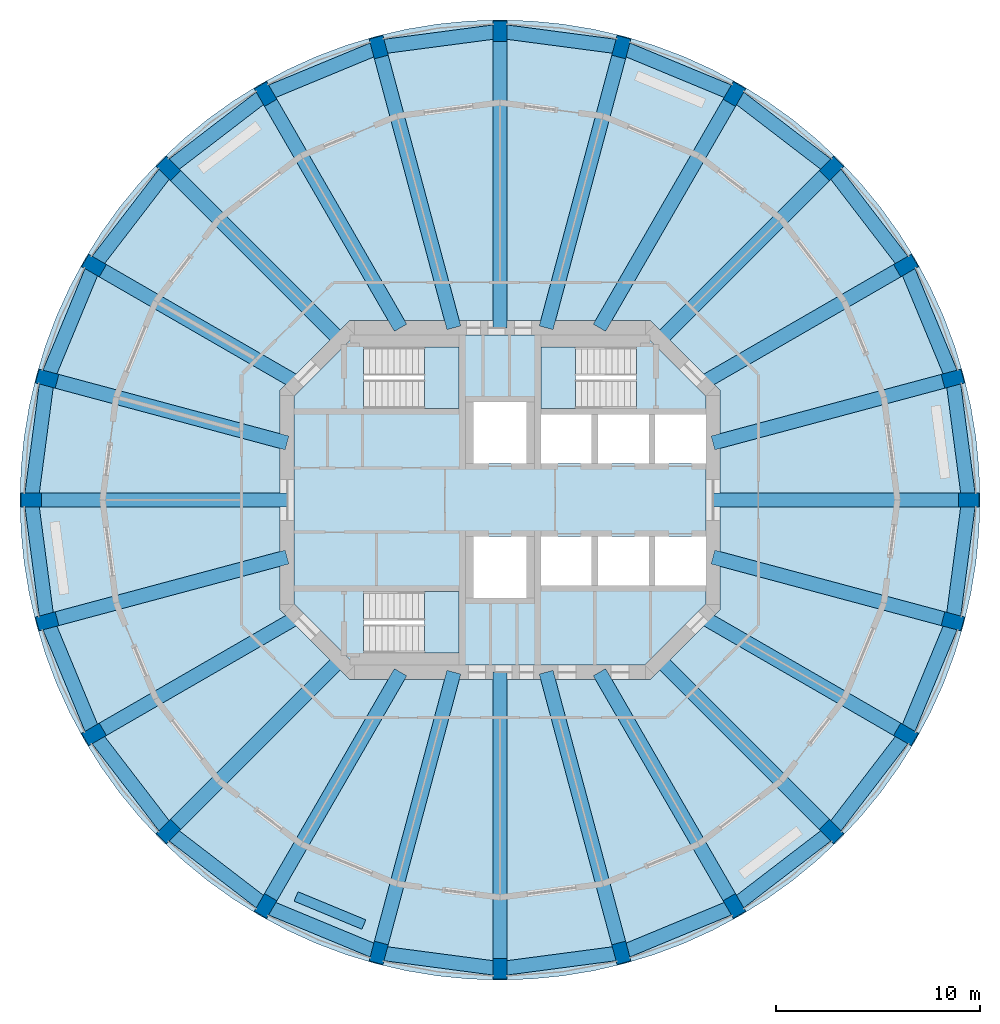
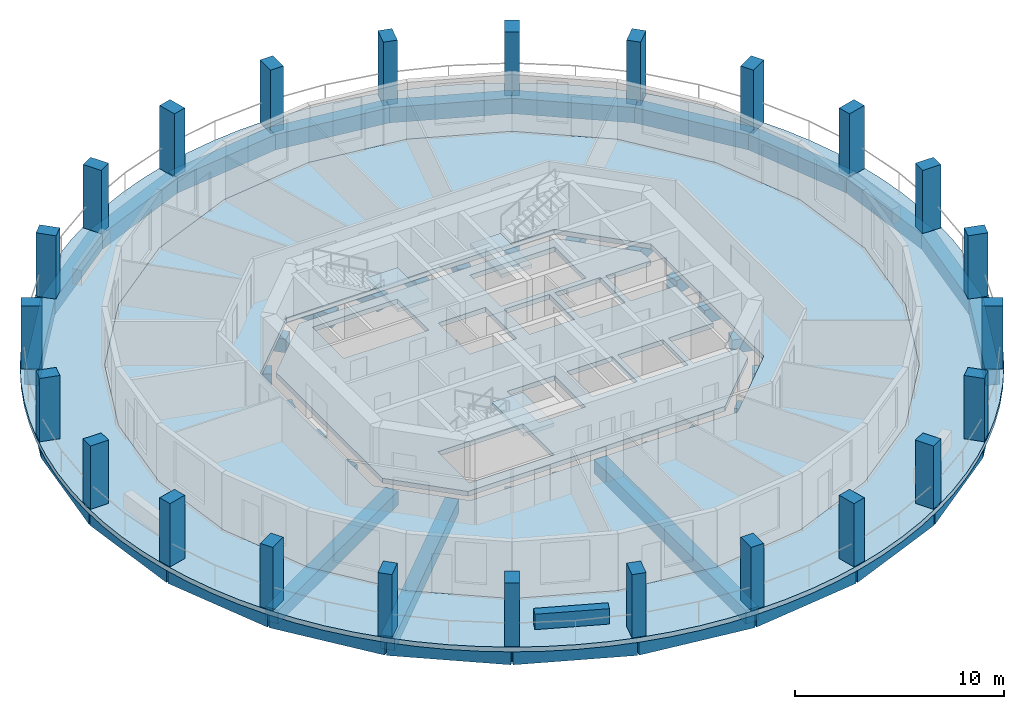
# One storey, part 1 of 8: 48 beams, 24 columns, 6 slabs, 1 wall, 3 elements without a shape of their own.
"""IFC4 building model written with IfcOpenShell, lengths in metres."""

import ifcopenshell
import ifcopenshell.guid

model = None  # the IFC model being written
_history = None  # IfcOwnerHistory: only IFC2X3 demands one
_inside = {}  # id of a spatial element -> (the spatial element, [elements in it])
_under = {}  # id of a project, library or spatial element -> (it, [spatial elements below it])
_declared = {}  # id of a project -> (the project, [libraries it declares])
_typed = {}  # id of a type object -> (the type object, [elements of that type])
_made_of = {}  # id of a material, layer set ... -> (it, [elements and type objects made of it])


def new_model(schema):
    """Start an empty IFC model of exactly this schema.

    Asked for "IFC4X3", IfcOpenShell would pick the latest addendum, in which some entities
    have other attributes; the version numbers below select the first issue.
    IFC2X3 requires an IfcOwnerHistory on every rooted entity: one is made here for all.
    """
    global model, _history
    if schema == "IFC4X3":
        model = ifcopenshell.file(schema_version=(4, 3, 0, 0))
    else:
        model = ifcopenshell.file(schema=schema)
    _inside.clear()
    _under.clear()
    _declared.clear()
    _typed.clear()
    _made_of.clear()
    _history = None
    if model.schema == "IFC2X3":
        org = make("IfcOrganization", Name="unknown")
        user = make(
            "IfcPersonAndOrganization",
            ThePerson=make("IfcPerson", FamilyName="unknown"),
            TheOrganization=org,
        )
        app = make(
            "IfcApplication",
            ApplicationDeveloper=org,
            Version="unknown",
            ApplicationFullName="unknown",
            ApplicationIdentifier="unknown",
        )
        _history = make(
            "IfcOwnerHistory",
            OwningUser=user,
            OwningApplication=app,
            ChangeAction="ADDED",
            CreationDate=0,
        )
    return model


def make(cls, **values):
    """One entity of the class cls with the attributes given. An attribute that is None is left unset."""
    return model.create_entity(
        cls, **{name: value for name, value in values.items() if value is not None}
    )


def rooted(cls, **values):
    """An entity with a GlobalId (a new one), such as an element, a storey or a relation."""
    return make(cls, GlobalId=ifcopenshell.guid.new(), OwnerHistory=_history, **values)


def si_unit(unit_type, name, prefix=None):
    """IfcSIUnit, for example si_unit("LENGTHUNIT", "METRE", prefix="MILLI")."""
    return make("IfcSIUnit", UnitType=unit_type, Prefix=prefix, Name=name)


def assignment(units):
    """IfcUnitAssignment: the units of a project."""
    return None if units is None else make("IfcUnitAssignment", Units=units)


def point(xyz):
    """IfcCartesianPoint."""
    return None if xyz is None else make("IfcCartesianPoint", Coordinates=xyz)


def direction(xyz):
    """IfcDirection."""
    return None if xyz is None else make("IfcDirection", DirectionRatios=xyz)


def frame(location, z_axis=None, x_axis=None):
    """IfcAxis2Placement3D, a coordinate frame: its origin and axes. An axis left out is left unset."""
    return make(
        "IfcAxis2Placement3D",
        Location=point(location),
        Axis=direction(z_axis),
        RefDirection=direction(x_axis),
    )


def frame_2d(location, x_axis=None):
    """IfcAxis2Placement2D, a coordinate frame in the plane: its origin and x axis."""
    return make(
        "IfcAxis2Placement2D", Location=point(location), RefDirection=direction(x_axis)
    )


def origin():
    """The frame at (0, 0, 0) with its axes left unset."""
    return frame((0.0, 0.0, 0.0))


def origin_2d():
    """The frame at (0, 0) in the plane with its x axis left unset."""
    return frame_2d((0.0, 0.0))


def place(relative_to, where):
    """IfcLocalPlacement: puts the frame where relative to a parent placement (None: the world)."""
    return make(
        "IfcLocalPlacement", PlacementRelTo=relative_to, RelativePlacement=where
    )


def context(
    kind, dimensions, precision=None, world=None, true_north=None, identifier=None
):
    """IfcGeometricRepresentationContext, for example the 3D "Model" context."""
    return make(
        "IfcGeometricRepresentationContext",
        ContextIdentifier=identifier,
        ContextType=kind,
        CoordinateSpaceDimension=dimensions,
        Precision=precision,
        WorldCoordinateSystem=world,
        TrueNorth=true_north,
    )


def subcontext(parent, identifier, kind, view, scale=None):
    """IfcGeometricRepresentationSubContext, for example "Body" below "Model"."""
    return make(
        "IfcGeometricRepresentationSubContext",
        ContextIdentifier=identifier,
        ContextType=kind,
        ParentContext=parent,
        TargetScale=scale,
        TargetView=view,
    )


def project(units=None, contexts=None):
    """IfcProject with its units and contexts."""
    return rooted(
        "IfcProject",
        Name="project",
        RepresentationContexts=contexts,
        UnitsInContext=assignment(units),
    )


def spatial(cls, under=None, at=None, **own):
    """A site, building, storey or space (cls), placed at a placement, below another one or the project."""
    s = rooted(cls, ObjectPlacement=at, **own)
    if under is not None:
        _under.setdefault(under.id(), (under, []))[1].append(s)
    return s


def polyline(points):
    """IfcPolyline through the points."""
    return make("IfcPolyline", Points=[point(p) for p in points])


def profile(cls, at=None, kind="AREA", **sizes):
    """A parametric profile (cls). Its sizes go by their IFC names, for example OverallWidth=200.0."""
    return make(cls, ProfileType=kind, Position=at, **sizes)


def rectangle(**sizes):
    """IfcRectangleProfileDef."""
    return profile("IfcRectangleProfileDef", **sizes)


def outline(outer, holes=None, kind="AREA"):
    """IfcArbitraryClosedProfileDef: a profile drawn as a closed curve; with holes, ...WithVoids."""
    if holes is None:
        return make("IfcArbitraryClosedProfileDef", ProfileType=kind, OuterCurve=outer)
    return make(
        "IfcArbitraryProfileDefWithVoids",
        ProfileType=kind,
        OuterCurve=outer,
        InnerCurves=holes,
    )


def extrude(swept, where, along, depth):
    """IfcExtrudedAreaSolid: the profile swept, set in the frame where, extruded along a direction by depth."""
    return make(
        "IfcExtrudedAreaSolid",
        SweptArea=swept,
        Position=where,
        ExtrudedDirection=direction(along),
        Depth=depth,
    )


def shape(context_of_items, identifier, shape_type, items):
    """IfcShapeRepresentation: the items that make up one representation, for example the "Body"."""
    return make(
        "IfcShapeRepresentation",
        ContextOfItems=context_of_items,
        RepresentationIdentifier=identifier,
        RepresentationType=shape_type,
        Items=items,
    )


def material(Name=None, Category=None):
    """IfcMaterial."""
    return make("IfcMaterial", Name=Name, Category=Category)


def layer(
    of_material, thickness, ventilated=None, Name=None, Category=None, Priority=None
):
    """IfcMaterialLayer: one layer of a wall or slab, of a material (None: an air gap)."""
    return make(
        "IfcMaterialLayer",
        Material=of_material,
        LayerThickness=thickness,
        IsVentilated=ventilated,
        Name=Name,
        Category=Category,
        Priority=Priority,
    )


def layer_set(layers, Name=None):
    """IfcMaterialLayerSet."""
    return make("IfcMaterialLayerSet", MaterialLayers=layers, LayerSetName=Name)


def material_profile(
    of_material, cross_section, Name=None, Category=None, Priority=None
):
    """IfcMaterialProfile: a cross section and its material."""
    return make(
        "IfcMaterialProfile",
        Name=Name,
        Material=of_material,
        Profile=cross_section,
        Priority=Priority,
        Category=Category,
    )


def profile_set(profiles, Name=None, composite=None):
    """IfcMaterialProfileSet."""
    return make(
        "IfcMaterialProfileSet",
        Name=Name,
        MaterialProfiles=profiles,
        CompositeProfile=composite,
    )


def made_of(thing, what):
    """Note that an element or type object is made of a material, layer set ...; save() writes the relation."""
    if what is not None:
        _made_of.setdefault(what.id(), (what, []))[1].append(thing)
    return thing


def type_object(cls, material=None, **own):
    """A type object (cls), such as IfcWallType, which elements share."""
    return made_of(rooted(cls, **own), material)


def element(
    cls,
    number,
    at=None,
    inside=None,
    cuts=None,
    type_object=None,
    material=None,
    context=None,
    identifier="Body",
    shape_type=None,
    held_by="IfcProductDefinitionShape",
    body=None,
    shapes=None,
    **own,
):
    """One element of the class cls, such as IfcWall. Its Tag is "e" and its number.

    at: its placement. inside: the storey or other place that contains it. cuts: it is an
    opening in that element (IfcRelVoidsElement). A single representation is given by context,
    identifier, shape_type and body (its items); several are given by shapes. held_by: the class
    of the entity that holds the representations. save() writes the other relations.
    """
    e = rooted(cls, Tag="e%d" % number, ObjectPlacement=at, **own)
    if body is not None:
        shapes = [shape(context, identifier, shape_type, body)]
    if shapes is not None:
        e.Representation = make(held_by, Representations=shapes)
    if inside is not None:
        _inside.setdefault(inside.id(), (inside, []))[1].append(e)
    if cuts is not None:
        rooted(
            "IfcRelVoidsElement", RelatingBuildingElement=cuts, RelatedOpeningElement=e
        )
    if type_object is not None:
        _typed.setdefault(type_object.id(), (type_object, []))[1].append(e)
    return made_of(e, material)


def aggregate(whole, parts):
    """IfcRelAggregates: a whole, such as a stair, and the parts it consists of."""
    return rooted("IfcRelAggregates", RelatingObject=whole, RelatedObjects=parts)


def save(model, path):
    """Write the relations noted so far, then the file.

    IfcRelAggregates (storeys below a building ...), IfcRelContainedInSpatialStructure (elements
    in a storey), IfcRelDefinesByType, IfcRelAssociatesMaterial and IfcRelDeclares: one each for
    every whole, place, type object, material and project.
    """
    for whole, parts in _under.values():
        aggregate(whole, parts)
    for where, things in _inside.values():
        rooted(
            "IfcRelContainedInSpatialStructure",
            RelatedElements=things,
            RelatingStructure=where,
        )
    for kind, things in _typed.values():
        rooted("IfcRelDefinesByType", RelatedObjects=things, RelatingType=kind)
    for what, things in _made_of.values():
        rooted("IfcRelAssociatesMaterial", RelatedObjects=things, RelatingMaterial=what)
    for by, libraries in _declared.values():
        rooted("IfcRelDeclares", RelatingContext=by, RelatedDefinitions=libraries)
    model.write(path)


model = new_model("IFC4")

# Units and contexts
model_context = context("Model", 3, precision=1e-05, world=origin(), true_north=direction((0.0, 1.0)))
body_context = subcontext(model_context, "Body", "Model", "MODEL_VIEW")
ifc_project = project(units=[si_unit("LENGTHUNIT", "METRE"), si_unit("AREAUNIT", "SQUARE_METRE"), si_unit("VOLUMEUNIT", "CUBIC_METRE"), si_unit("PLANEANGLEUNIT", "RADIAN"), si_unit("MASSUNIT", "GRAM", prefix="KILO")], contexts=[model_context])

# Site, building, storey
site_placement = place(None, origin())
site = spatial("IfcSite", under=ifc_project, at=site_placement, CompositionType="ELEMENT")
building_placement = place(site_placement, origin())
building = spatial("IfcBuilding", under=site, at=building_placement, Name="Torre Triforio", CompositionType="ELEMENT")
storey_placement = place(building_placement, frame((0.0, 0.0, 207.60009765625)))
storey = spatial("IfcBuildingStorey", under=building, at=storey_placement, Name="L47", CompositionType="ELEMENT", Elevation=207.60009765625)

# Columns
ifc_material_1 = material(Name="Concrete C50", Category="concrete")
ifc_material_profile_1 = material_profile(ifc_material_1, rectangle(XDim=0.699951171875, YDim=1.0, at=origin_2d()), Name="RC 700x1000")
ifc_profile_set_1 = profile_set([ifc_material_profile_1], Name="Concrete C50")
column_type = type_object("IfcColumnType", Name="Pier RC 700x1000 C50", PredefinedType="COLUMN", material=ifc_profile_set_1)
for number, where, z_axis, x_axis, name in (
    (1, (23.0, 0.0, 0.0), (0.0, 0.0, 1.0), (0.0, 1.0, 0.0), "COL.R.L47.00"),
    (2, (22.21630859375, 5.952880859375, 0.0), (0.0, 0.0, 1.0), (-0.258819045103, 0.965925826289, 0.0), "COL.R.L47.01"),
    (3, (19.918701171875, 11.5, 0.0), (0.0, 0.0, 1.0), (-0.5, 0.866025403784, 0.0), "COL.R.L47.02"),
    (4, (16.263427734375, 16.263427734375, 0.0), (0.0, 0.0, 1.0), (-0.707106781187, 0.707106781187, 0.0), "COL.R.L47.03"),
    (5, (11.5, 19.918701171875, 0.0), (0.0, 0.0, 1.0), (-0.866025403784, 0.5, 0.0), "COL.R.L47.04"),
    (6, (5.952880859375, 22.21630859375, 0.0), (0.0, 0.0, 1.0), (-0.965925826289, 0.258819045103, 0.0), "COL.R.L47.05"),
    (7, (0.0, 23.0, 0.0), (0.0, 0.0, 1.0), (-1.0, 0.0, 0.0), "COL.R.L47.06"),
    (8, (-5.952880859375, 22.21630859375, 0.0), (0.0, 0.0, 1.0), (-0.965925826289, -0.258819045103, 0.0), "COL.R.L47.07"),
    (9, (-11.5, 19.918701171875, 0.0), (0.0, 0.0, 1.0), (-0.866025403784, -0.5, 0.0), "COL.R.L47.08"),
    (10, (-16.263427734375, 16.263427734375, 0.0), (0.0, 0.0, 1.0), (-0.707106781187, -0.707106781187, 0.0), "COL.R.L47.09"),
    (11, (-19.918701171875, 11.5, 0.0), (0.0, 0.0, 1.0), (-0.5, -0.866025403784, 0.0), "COL.R.L47.10"),
    (12, (-22.21630859375, 5.952880859375, 0.0), (0.0, 0.0, 1.0), (-0.258819045103, -0.965925826289, 0.0), "COL.R.L47.11"),
    (13, (-23.0, 0.0, 0.0), (0.0, 0.0, 1.0), (0.0, -1.0, 0.0), "COL.R.L47.12"),
    (14, (-22.21630859375, -5.952880859375, 0.0), (0.0, 0.0, 1.0), (0.258819045103, -0.965925826289, 0.0), "COL.R.L47.13"),
    (15, (-19.918701171875, -11.5, 0.0), (0.0, 0.0, 1.0), (0.5, -0.866025403784, 0.0), "COL.R.L47.14"),
    (16, (-16.263427734375, -16.263427734375, 0.0), (0.0, 0.0, 1.0), (0.707106781187, -0.707106781187, 0.0), "COL.R.L47.15"),
    (17, (-11.5, -19.918701171875, 0.0), (0.0, 0.0, 1.0), (0.866025403784, -0.5, 0.0), "COL.R.L47.16"),
    (18, (-5.952880859375, -22.21630859375, 0.0), (0.0, 0.0, 1.0), (0.965925826289, -0.258819045103, 0.0), "COL.R.L47.17"),
    (19, (0.0, -23.0, 0.0), (0.0, 0.0, 1.0), (1.0, 0.0, 0.0), "COL.R.L47.18"),
    (20, (5.952880859375, -22.21630859375, 0.0), (0.0, 0.0, 1.0), (0.965925826289, 0.258819045103, 0.0), "COL.R.L47.19"),
    (21, (11.5, -19.918701171875, 0.0), (0.0, 0.0, 1.0), (0.866025403784, 0.5, 0.0), "COL.R.L47.20"),
    (22, (16.263427734375, -16.263427734375, 0.0), (0.0, 0.0, 1.0), (0.707106781187, 0.707106781187, 0.0), "COL.R.L47.21"),
    (23, (19.918701171875, -11.5, 0.0), (0.0, 0.0, 1.0), (0.5, 0.866025403784, 0.0), "COL.R.L47.22"),
    (24, (22.21630859375, -5.952880859375, 0.0), (0.0, 0.0, 1.0), (0.258819045103, 0.965925826289, 0.0), "COL.R.L47.23"),
):
    element("IfcColumn", number, at=place(storey_placement, frame(where, z_axis=z_axis, x_axis=x_axis)), inside=storey, type_object=column_type, Name=name, PredefinedType="COLUMN", context=body_context, shape_type="SweptSolid", body=[
        extrude(rectangle(XDim=0.699951171875, YDim=1.0, at=origin_2d()), origin(), (0.0, 0.0, 1.0), 3.699951171875),
    ])

# Beams
ifc_material_2 = material(Name="Concrete C40", Category="concrete")
ifc_material_profile_2 = material_profile(ifc_material_2, rectangle(XDim=0.699951171875, YDim=0.800048828125, at=origin_2d()), Name="RC 700x800")
ifc_profile_set_2 = profile_set([ifc_material_profile_2], Name="Concrete C40")
beam_type_1 = type_object("IfcBeamType", Name="Radial beam RC 700x800 C40", PredefinedType="BEAM", material=ifc_profile_set_2)
beam_1_placement = place(storey_placement, frame((10.449951171875, 0.0, -0.68017578125), z_axis=(1.0, 0.0, 0.0), x_axis=(0.0, 1.0, 0.0)))
element("IfcBeam", 25, at=beam_1_placement, inside=storey, type_object=beam_type_1, Name="BM.R.L47.00", PredefinedType="BEAM", context=body_context, shape_type="SweptSolid", body=[
    extrude(rectangle(XDim=0.699951171875, YDim=0.800048828125, at=origin_2d()), origin(), (0.0, 0.0, 1.0), 12.550048828125),
])
beam_2_placement = place(storey_placement, frame((10.449951171875, 2.800048828125, -0.68017578125), z_axis=(0.965924880947, 0.258822573141, 0.0), x_axis=(-0.258822573141, 0.965924880947, 0.0)))
element("IfcBeam", 26, at=beam_2_placement, inside=storey, type_object=beam_type_1, Name="BM.R.L47.01", PredefinedType="BEAM", context=body_context, shape_type="SweptSolid", body=[
    extrude(rectangle(XDim=0.699951171875, YDim=0.800048828125, at=origin_2d()), origin(), (0.0, 0.0, 1.0), 12.181396484375),
])
beam_3_placement = place(storey_placement, frame((9.9501953125, 5.744873046875, -0.68017578125), z_axis=(0.866032648629, 0.499987451351, 0.0), x_axis=(-0.499987451351, 0.866032648629, 0.0)))
element("IfcBeam", 27, at=beam_3_placement, inside=storey, type_object=beam_type_1, Name="BM.R.L47.02", PredefinedType="BEAM", context=body_context, shape_type="SweptSolid", body=[
    extrude(rectangle(XDim=0.699951171875, YDim=0.800048828125, at=origin_2d()), origin(), (0.0, 0.0, 1.0), 11.510498046875),
])
beam_4_placement = place(storey_placement, frame((7.847412109375, 7.847412109375, -0.68017578125), z_axis=(0.707106781187, 0.707106781187, 0.0), x_axis=(-0.707106781187, 0.707106781187, 0.0)))
element("IfcBeam", 28, at=beam_4_placement, inside=storey, type_object=beam_type_1, Name="BM.R.L47.03", PredefinedType="BEAM", context=body_context, shape_type="SweptSolid", body=[
    extrude(rectangle(XDim=0.699951171875, YDim=0.800048828125, at=origin_2d()), origin(), (0.0, 0.0, 1.0), 11.902099609375),
])
beam_5_placement = place(storey_placement, frame((4.878662109375, 8.449951171875, -0.68017578125), z_axis=(0.499991617607, 0.866030243307, 0.0), x_axis=(-0.866030243307, 0.499991617607, 0.0)))
element("IfcBeam", 29, at=beam_5_placement, inside=storey, type_object=beam_type_1, Name="BM.R.L47.04", PredefinedType="BEAM", context=body_context, shape_type="SweptSolid", body=[
    extrude(rectangle(XDim=0.699951171875, YDim=0.800048828125, at=origin_2d()), origin(), (0.0, 0.0, 1.0), 13.242919921875),
])
beam_6_placement = place(storey_placement, frame((2.26416015625, 8.449951171875, -0.68017578125), z_axis=(0.258821424719, 0.96592518867, 0.0), x_axis=(-0.96592518867, 0.258821424719, 0.0)))
element("IfcBeam", 30, at=beam_6_placement, inside=storey, type_object=beam_type_1, Name="BM.R.L47.05", PredefinedType="BEAM", context=body_context, shape_type="SweptSolid", body=[
    extrude(rectangle(XDim=0.699951171875, YDim=0.800048828125, at=origin_2d()), origin(), (0.0, 0.0, 1.0), 14.251953125),
])
beam_7_placement = place(storey_placement, frame((0.0, 8.449951171875, -0.68017578125), z_axis=(0.0, 1.0, 0.0), x_axis=(-1.0, 0.0, 0.0)))
element("IfcBeam", 31, at=beam_7_placement, inside=storey, type_object=beam_type_1, Name="BM.R.L47.06", PredefinedType="BEAM", context=body_context, shape_type="SweptSolid", body=[
    extrude(rectangle(XDim=0.699951171875, YDim=0.800048828125, at=origin_2d()), origin(), (0.0, 0.0, 1.0), 14.550048828125),
])
beam_8_placement = place(storey_placement, frame((-2.26416015625, 8.449951171875, -0.68017578125), z_axis=(-0.258821424719, 0.96592518867, 0.0), x_axis=(-0.96592518867, -0.258821424719, 0.0)))
element("IfcBeam", 32, at=beam_8_placement, inside=storey, type_object=beam_type_1, Name="BM.R.L47.07", PredefinedType="BEAM", context=body_context, shape_type="SweptSolid", body=[
    extrude(rectangle(XDim=0.699951171875, YDim=0.800048828125, at=origin_2d()), origin(), (0.0, 0.0, 1.0), 14.251953125),
])
beam_9_placement = place(storey_placement, frame((-4.878662109375, 8.449951171875, -0.68017578125), z_axis=(-0.499991617607, 0.866030243307, 0.0), x_axis=(-0.866030243307, -0.499991617607, 0.0)))
element("IfcBeam", 33, at=beam_9_placement, inside=storey, type_object=beam_type_1, Name="BM.R.L47.08", PredefinedType="BEAM", context=body_context, shape_type="SweptSolid", body=[
    extrude(rectangle(XDim=0.699951171875, YDim=0.800048828125, at=origin_2d()), origin(), (0.0, 0.0, 1.0), 13.242919921875),
])
beam_10_placement = place(storey_placement, frame((-7.847412109375, 7.847412109375, -0.68017578125), z_axis=(-0.707106781187, 0.707106781187, 0.0), x_axis=(-0.707106781187, -0.707106781187, 0.0)))
element("IfcBeam", 34, at=beam_10_placement, inside=storey, type_object=beam_type_1, Name="BM.R.L47.09", PredefinedType="BEAM", context=body_context, shape_type="SweptSolid", body=[
    extrude(rectangle(XDim=0.699951171875, YDim=0.800048828125, at=origin_2d()), origin(), (0.0, 0.0, 1.0), 11.902099609375),
])
beam_11_placement = place(storey_placement, frame((-9.9501953125, 5.744873046875, -0.68017578125), z_axis=(-0.866032648629, 0.499987451351, 0.0), x_axis=(-0.499987451351, -0.866032648629, 0.0)))
element("IfcBeam", 35, at=beam_11_placement, inside=storey, type_object=beam_type_1, Name="BM.R.L47.10", PredefinedType="BEAM", context=body_context, shape_type="SweptSolid", body=[
    extrude(rectangle(XDim=0.699951171875, YDim=0.800048828125, at=origin_2d()), origin(), (0.0, 0.0, 1.0), 11.510498046875),
])
beam_12_placement = place(storey_placement, frame((-10.449951171875, 2.800048828125, -0.68017578125), z_axis=(-0.965924880947, 0.258822573141, 0.0), x_axis=(-0.258822573141, -0.965924880947, 0.0)))
element("IfcBeam", 36, at=beam_12_placement, inside=storey, type_object=beam_type_1, Name="BM.R.L47.11", PredefinedType="BEAM", context=body_context, shape_type="SweptSolid", body=[
    extrude(rectangle(XDim=0.699951171875, YDim=0.800048828125, at=origin_2d()), origin(), (0.0, 0.0, 1.0), 12.181396484375),
])
beam_13_placement = place(storey_placement, frame((-10.449951171875, 0.0, -0.68017578125), z_axis=(-1.0, 0.0, 0.0), x_axis=(0.0, -1.0, 0.0)))
element("IfcBeam", 37, at=beam_13_placement, inside=storey, type_object=beam_type_1, Name="BM.R.L47.12", PredefinedType="BEAM", context=body_context, shape_type="SweptSolid", body=[
    extrude(rectangle(XDim=0.699951171875, YDim=0.800048828125, at=origin_2d()), origin(), (0.0, 0.0, 1.0), 12.550048828125),
])
beam_14_placement = place(storey_placement, frame((-10.449951171875, -2.800048828125, -0.68017578125), z_axis=(-0.965924880947, -0.258822573141, 0.0), x_axis=(0.258822573141, -0.965924880947, 0.0)))
element("IfcBeam", 38, at=beam_14_placement, inside=storey, type_object=beam_type_1, Name="BM.R.L47.13", PredefinedType="BEAM", context=body_context, shape_type="SweptSolid", body=[
    extrude(rectangle(XDim=0.699951171875, YDim=0.800048828125, at=origin_2d()), origin(), (0.0, 0.0, 1.0), 12.181396484375),
])
beam_15_placement = place(storey_placement, frame((-9.9501953125, -5.744873046875, -0.68017578125), z_axis=(-0.866032648629, -0.499987451351, 0.0), x_axis=(0.499987451351, -0.866032648629, 0.0)))
element("IfcBeam", 39, at=beam_15_placement, inside=storey, type_object=beam_type_1, Name="BM.R.L47.14", PredefinedType="BEAM", context=body_context, shape_type="SweptSolid", body=[
    extrude(rectangle(XDim=0.699951171875, YDim=0.800048828125, at=origin_2d()), origin(), (0.0, 0.0, 1.0), 11.510498046875),
])
beam_16_placement = place(storey_placement, frame((-7.847412109375, -7.847412109375, -0.68017578125), z_axis=(-0.707106781187, -0.707106781187, 0.0), x_axis=(0.707106781187, -0.707106781187, 0.0)))
element("IfcBeam", 40, at=beam_16_placement, inside=storey, type_object=beam_type_1, Name="BM.R.L47.15", PredefinedType="BEAM", context=body_context, shape_type="SweptSolid", body=[
    extrude(rectangle(XDim=0.699951171875, YDim=0.800048828125, at=origin_2d()), origin(), (0.0, 0.0, 1.0), 11.902099609375),
])
beam_17_placement = place(storey_placement, frame((-4.878662109375, -8.449951171875, -0.68017578125), z_axis=(-0.499991617607, -0.866030243307, 0.0), x_axis=(0.866030243307, -0.499991617607, 0.0)))
element("IfcBeam", 41, at=beam_17_placement, inside=storey, type_object=beam_type_1, Name="BM.R.L47.16", PredefinedType="BEAM", context=body_context, shape_type="SweptSolid", body=[
    extrude(rectangle(XDim=0.699951171875, YDim=0.800048828125, at=origin_2d()), origin(), (0.0, 0.0, 1.0), 13.242919921875),
])
beam_18_placement = place(storey_placement, frame((-2.26416015625, -8.449951171875, -0.68017578125), z_axis=(-0.258821424719, -0.96592518867, 0.0), x_axis=(0.96592518867, -0.258821424719, 0.0)))
element("IfcBeam", 42, at=beam_18_placement, inside=storey, type_object=beam_type_1, Name="BM.R.L47.17", PredefinedType="BEAM", context=body_context, shape_type="SweptSolid", body=[
    extrude(rectangle(XDim=0.699951171875, YDim=0.800048828125, at=origin_2d()), origin(), (0.0, 0.0, 1.0), 14.251953125),
])
beam_19_placement = place(storey_placement, frame((0.0, -8.449951171875, -0.68017578125), z_axis=(0.0, -1.0, 0.0), x_axis=(1.0, 0.0, 0.0)))
element("IfcBeam", 43, at=beam_19_placement, inside=storey, type_object=beam_type_1, Name="BM.R.L47.18", PredefinedType="BEAM", context=body_context, shape_type="SweptSolid", body=[
    extrude(rectangle(XDim=0.699951171875, YDim=0.800048828125, at=origin_2d()), origin(), (0.0, 0.0, 1.0), 14.550048828125),
])
beam_20_placement = place(storey_placement, frame((2.26416015625, -8.449951171875, -0.68017578125), z_axis=(0.258821424719, -0.96592518867, 0.0), x_axis=(0.96592518867, 0.258821424719, 0.0)))
element("IfcBeam", 44, at=beam_20_placement, inside=storey, type_object=beam_type_1, Name="BM.R.L47.19", PredefinedType="BEAM", context=body_context, shape_type="SweptSolid", body=[
    extrude(rectangle(XDim=0.699951171875, YDim=0.800048828125, at=origin_2d()), origin(), (0.0, 0.0, 1.0), 14.251953125),
])
beam_21_placement = place(storey_placement, frame((4.878662109375, -8.449951171875, -0.68017578125), z_axis=(0.499991617607, -0.866030243307, 0.0), x_axis=(0.866030243307, 0.499991617607, 0.0)))
element("IfcBeam", 45, at=beam_21_placement, inside=storey, type_object=beam_type_1, Name="BM.R.L47.20", PredefinedType="BEAM", context=body_context, shape_type="SweptSolid", body=[
    extrude(rectangle(XDim=0.699951171875, YDim=0.800048828125, at=origin_2d()), origin(), (0.0, 0.0, 1.0), 13.242919921875),
])
beam_22_placement = place(storey_placement, frame((7.847412109375, -7.847412109375, -0.68017578125), z_axis=(0.707106781187, -0.707106781187, 0.0), x_axis=(0.707106781187, 0.707106781187, 0.0)))
element("IfcBeam", 46, at=beam_22_placement, inside=storey, type_object=beam_type_1, Name="BM.R.L47.21", PredefinedType="BEAM", context=body_context, shape_type="SweptSolid", body=[
    extrude(rectangle(XDim=0.699951171875, YDim=0.800048828125, at=origin_2d()), origin(), (0.0, 0.0, 1.0), 11.902099609375),
])
beam_23_placement = place(storey_placement, frame((9.9501953125, -5.744873046875, -0.68017578125), z_axis=(0.866032648629, -0.499987451351, 0.0), x_axis=(0.499987451351, 0.866032648629, 0.0)))
element("IfcBeam", 47, at=beam_23_placement, inside=storey, type_object=beam_type_1, Name="BM.R.L47.22", PredefinedType="BEAM", context=body_context, shape_type="SweptSolid", body=[
    extrude(rectangle(XDim=0.699951171875, YDim=0.800048828125, at=origin_2d()), origin(), (0.0, 0.0, 1.0), 11.510498046875),
])
beam_24_placement = place(storey_placement, frame((10.449951171875, -2.800048828125, -0.68017578125), z_axis=(0.965924880947, -0.258822573141, 0.0), x_axis=(0.258822573141, 0.965924880947, 0.0)))
element("IfcBeam", 48, at=beam_24_placement, inside=storey, type_object=beam_type_1, Name="BM.R.L47.23", PredefinedType="BEAM", context=body_context, shape_type="SweptSolid", body=[
    extrude(rectangle(XDim=0.699951171875, YDim=0.800048828125, at=origin_2d()), origin(), (0.0, 0.0, 1.0), 12.181396484375),
])
ifc_material_profile_3 = material_profile(ifc_material_2, rectangle(XDim=0.699951171875, YDim=0.89990234375, at=origin_2d()), Name="RC 700x900")
ifc_profile_set_3 = profile_set([ifc_material_profile_3], Name="Concrete C40")
beam_type_2 = type_object("IfcBeamType", Name="Spandrel beam RC 700x900 C40", PredefinedType="SPANDREL", material=ifc_profile_set_3)
for number, where, z_axis, x_axis, name in (
    (49, (23.0, 0.0, -0.72998046875), (-0.130522880875, 0.991445297315, 0.0), (-0.991445297315, -0.130522880875, 0.0), "BM.S.L47.00"),
    (50, (22.21630859375, 5.952880859375, -0.72998046875), (-0.382671411433, 0.923884511653, 0.0), (-0.923884511653, -0.382671411433, 0.0), "BM.S.L47.01"),
    (51, (19.918701171875, 11.5, -0.72998046875), (-0.608778912074, 0.793339924758, 0.0), (-0.793339924758, -0.608778912074, 0.0), "BM.S.L47.02"),
    (52, (16.263427734375, 16.263427734375, -0.72998046875), (-0.793339924758, 0.608778912074, 0.0), (-0.608778912074, -0.793339924758, 0.0), "BM.S.L47.03"),
    (53, (11.5, 19.918701171875, -0.72998046875), (-0.923884511653, 0.382671411433, 0.0), (-0.382671411433, -0.923884511653, 0.0), "BM.S.L47.04"),
    (54, (5.952880859375, 22.21630859375, -0.72998046875), (-0.991445297315, 0.130522880875, 0.0), (-0.130522880875, -0.991445297315, 0.0), "BM.S.L47.05"),
    (55, (0.0, 23.0, -0.72998046875), (-0.991445297315, -0.130522880875, 0.0), (0.130522880875, -0.991445297315, 0.0), "BM.S.L47.06"),
    (56, (-5.952880859375, 22.21630859375, -0.72998046875), (-0.923884511653, -0.382671411433, 0.0), (0.382671411433, -0.923884511653, 0.0), "BM.S.L47.07"),
    (57, (-11.5, 19.918701171875, -0.72998046875), (-0.793339924758, -0.608778912074, 0.0), (0.608778912074, -0.793339924758, 0.0), "BM.S.L47.08"),
    (58, (-16.263427734375, 16.263427734375, -0.72998046875), (-0.608778912074, -0.793339924758, 0.0), (0.793339924758, -0.608778912074, 0.0), "BM.S.L47.09"),
    (59, (-19.918701171875, 11.5, -0.72998046875), (-0.382671411433, -0.923884511653, 0.0), (0.923884511653, -0.382671411433, 0.0), "BM.S.L47.10"),
    (60, (-22.21630859375, 5.952880859375, -0.72998046875), (-0.130522880875, -0.991445297315, 0.0), (0.991445297315, -0.130522880875, 0.0), "BM.S.L47.11"),
    (61, (-23.0, 0.0, -0.72998046875), (0.130522880875, -0.991445297315, 0.0), (0.991445297315, 0.130522880875, 0.0), "BM.S.L47.12"),
    (62, (-22.21630859375, -5.952880859375, -0.72998046875), (0.382671411433, -0.923884511653, 0.0), (0.923884511653, 0.382671411433, 0.0), "BM.S.L47.13"),
    (63, (-19.918701171875, -11.5, -0.72998046875), (0.608778912074, -0.793339924758, 0.0), (0.793339924758, 0.608778912074, 0.0), "BM.S.L47.14"),
    (64, (-16.263427734375, -16.263427734375, -0.72998046875), (0.793339924758, -0.608778912074, 0.0), (0.608778912074, 0.793339924758, 0.0), "BM.S.L47.15"),
    (65, (-11.5, -19.918701171875, -0.72998046875), (0.923884511653, -0.382671411433, 0.0), (0.382671411433, 0.923884511653, 0.0), "BM.S.L47.16"),
    (66, (-5.952880859375, -22.21630859375, -0.72998046875), (0.991445297315, -0.130522880875, 0.0), (0.130522880875, 0.991445297315, 0.0), "BM.S.L47.17"),
    (67, (0.0, -23.0, -0.72998046875), (0.991445297315, 0.130522880875, 0.0), (-0.130522880875, 0.991445297315, 0.0), "BM.S.L47.18"),
    (68, (5.952880859375, -22.21630859375, -0.72998046875), (0.923884511653, 0.382671411433, 0.0), (-0.382671411433, 0.923884511653, 0.0), "BM.S.L47.19"),
    (69, (11.5, -19.918701171875, -0.72998046875), (0.793339924758, 0.608778912074, 0.0), (-0.608778912074, 0.793339924758, 0.0), "BM.S.L47.20"),
    (70, (16.263427734375, -16.263427734375, -0.72998046875), (0.608778912074, 0.793339924758, 0.0), (-0.793339924758, 0.608778912074, 0.0), "BM.S.L47.21"),
    (71, (19.918701171875, -11.5, -0.72998046875), (0.382671411433, 0.923884511653, 0.0), (-0.923884511653, 0.382671411433, 0.0), "BM.S.L47.22"),
    (72, (22.21630859375, -5.952880859375, -0.72998046875), (0.130522880875, 0.991445297315, 0.0), (-0.991445297315, 0.130522880875, 0.0), "BM.S.L47.23"),
):
    element("IfcBeam", number, at=place(storey_placement, frame(where, z_axis=z_axis, x_axis=x_axis)), inside=storey, type_object=beam_type_2, Name=name, PredefinedType="SPANDREL", context=body_context, shape_type="SweptSolid", body=[
        extrude(rectangle(XDim=0.699951171875, YDim=0.89990234375, at=origin_2d()), origin(), (0.0, 0.0, 1.0), 6.004150390625),
    ])

# Slabs
ifc_layer_1 = layer(ifc_material_1, 0.280029296875)
ifc_layer_set_1 = layer_set([ifc_layer_1], Name="Concrete C50")
slab_type_1 = type_object("IfcSlabType", Name="Core floor slab 280 mm C50 REI 120", PredefinedType="FLOOR", material=ifc_layer_set_1)
slab_1_placement = place(storey_placement, frame((0.0, 0.0, -0.280029296875)))
element("IfcSlab", 73, at=slab_1_placement, inside=storey, type_object=slab_type_1, Name="Core floor slab", PredefinedType="FLOOR", context=body_context, shape_type="SweptSolid", body=[
    extrude(outline(polyline([(10.10009765625, -5.10009765625), (7.10009765625, -8.10009765625), (-7.10009765625, -8.10009765625), (-10.10009765625, -5.10009765625), (-10.10009765625, 5.10009765625), (-7.10009765625, 8.10009765625), (7.10009765625, 8.10009765625), (10.10009765625, 5.10009765625), (10.10009765625, 4.199951171875), (7.60009765625, 4.199951171875), (7.60009765625, 1.800048828125), (10.10009765625, 1.800048828125), (10.10009765625, -1.800048828125), (7.60009765625, -1.800048828125), (7.60009765625, -4.199951171875), (10.10009765625, -4.199951171875), (10.10009765625, -5.10009765625)]), holes=[polyline([(-6.696044921875, -4.5), (-6.696044921875, -7.5), (-2.0, -7.5), (-2.0, -4.5), (-6.696044921875, -4.5)]), polyline([(-1.300048828125, -1.800048828125), (-1.300048828125, -4.800048828125), (1.300048828125, -4.800048828125), (1.300048828125, -1.800048828125), (-1.300048828125, -1.800048828125)]), polyline([(2.0, -1.800048828125), (2.0, -4.199951171875), (4.5, -4.199951171875), (4.5, -1.800048828125), (2.0, -1.800048828125)]), polyline([(4.5, 4.199951171875), (2.0, 4.199951171875), (2.0, 1.800048828125), (4.5, 1.800048828125), (4.5, 4.199951171875)]), polyline([(1.300048828125, 4.800048828125), (-1.300048828125, 4.800048828125), (-1.300048828125, 1.800048828125), (1.300048828125, 1.800048828125), (1.300048828125, 4.800048828125)]), polyline([(-6.696044921875, 7.5), (-6.696044921875, 4.5), (-2.0, 4.5), (-2.0, 7.5), (-6.696044921875, 7.5)]), polyline([(7.300048828125, -1.800048828125), (4.800048828125, -1.800048828125), (4.800048828125, -4.199951171875), (7.300048828125, -4.199951171875), (7.300048828125, -1.800048828125)]), polyline([(4.800048828125, 4.199951171875), (4.800048828125, 1.800048828125), (7.300048828125, 1.800048828125), (7.300048828125, 4.199951171875), (4.800048828125, 4.199951171875)]), polyline([(6.696044921875, 7.5), (2.0, 7.5), (2.0, 4.5), (6.696044921875, 4.5), (6.696044921875, 7.5)])]), origin(), (0.0, 0.0, 1.0), 0.280029296875),
])
ifc_layer_2 = layer(ifc_material_2, 0.280029296875)
ifc_layer_set_2 = layer_set([ifc_layer_2], Name="Concrete C40")
slab_type_2 = type_object("IfcSlabType", Name="Floor slab 280 C40", PredefinedType="FLOOR", material=ifc_layer_set_2)
slab_2_placement = place(storey_placement, frame((0.0, 0.0, -0.280029296875)))
element("IfcSlab", 74, at=slab_2_placement, inside=storey, type_object=slab_type_2, Name="SL.L47", PredefinedType="FLOOR", context=body_context, shape_type="SweptSolid", body=[
    extrude(outline(polyline([(16.887451171875, -9.75), (18.83544921875, -5.046875), (19.5, 0.0), (18.83544921875, 5.046875), (16.887451171875, 9.75), (13.78857421875, 13.78857421875), (9.75, 16.887451171875), (5.046875, 18.83544921875), (0.0, 19.5), (-5.046875, 18.83544921875), (-9.75, 16.887451171875), (-13.78857421875, 13.78857421875), (-16.887451171875, 9.75), (-18.83544921875, 5.046875), (-19.5, 0.0), (-18.83544921875, -5.046875), (-16.887451171875, -9.75), (-13.78857421875, -13.78857421875), (-9.75, -16.887451171875), (-5.046875, -18.83544921875), (0.0, -19.5), (5.046875, -18.83544921875), (9.75, -16.887451171875), (13.78857421875, -13.78857421875), (16.887451171875, -9.75)]), holes=[polyline([(10.800048828125, 5.389892578125), (10.800048828125, -5.389892578125), (7.389892578125, -8.800048828125), (-7.389892578125, -8.800048828125), (-10.800048828125, -5.389892578125), (-10.800048828125, 5.389892578125), (-7.389892578125, 8.800048828125), (7.389892578125, 8.800048828125), (10.800048828125, 5.389892578125)])]), origin(), (0.0, 0.0, 1.0), 0.280029296875),
])
ifc_layer_3 = layer(ifc_material_2, 0.280029296875)
ifc_layer_set_3 = layer_set([ifc_layer_3], Name="Concrete C40")
slab_type_3 = type_object("IfcSlabType", Name="Loggia slab 280 C40", PredefinedType="FLOOR", material=ifc_layer_set_3)
slab_3_placement = place(storey_placement, frame((0.0, 0.0, -0.280029296875)))
element("IfcSlab", 75, at=slab_3_placement, inside=storey, type_object=slab_type_3, Name="SL.L47.LG", PredefinedType="FLOOR", context=body_context, shape_type="SweptSolid", body=[
    extrude(outline(polyline([(23.49951171875, -1.540283203125), (23.550048828125, 0.0), (23.49951171875, 1.540283203125), (23.3486328125, 3.073974609375), (23.097412109375, 4.594482421875), (22.74755859375, 6.09521484375), (22.30029296875, 7.56982421875), (21.75732421875, 9.01220703125), (21.121337890625, 10.416015625), (20.39501953125, 11.77490234375), (19.5810546875, 13.083740234375), (18.683349609375, 14.33642578125), (17.705810546875, 15.527587890625), (16.65234375, 16.65234375), (15.527587890625, 17.705810546875), (14.33642578125, 18.683349609375), (13.083740234375, 19.5810546875), (11.77490234375, 20.39501953125), (10.416015625, 21.121337890625), (9.01220703125, 21.75732421875), (7.56982421875, 22.30029296875), (6.09521484375, 22.74755859375), (4.594482421875, 23.097412109375), (3.073974609375, 23.3486328125), (1.540283203125, 23.49951171875), (0.0, 23.550048828125), (-1.540283203125, 23.49951171875), (-3.073974609375, 23.3486328125), (-4.594482421875, 23.097412109375), (-6.09521484375, 22.74755859375), (-7.56982421875, 22.30029296875), (-9.01220703125, 21.75732421875), (-10.416015625, 21.121337890625), (-11.77490234375, 20.39501953125), (-13.083740234375, 19.5810546875), (-14.33642578125, 18.683349609375), (-15.527587890625, 17.705810546875), (-16.65234375, 16.65234375), (-17.705810546875, 15.527587890625), (-18.683349609375, 14.33642578125), (-19.5810546875, 13.083740234375), (-20.39501953125, 11.77490234375), (-21.121337890625, 10.416015625), (-21.75732421875, 9.01220703125), (-22.30029296875, 7.56982421875), (-22.74755859375, 6.09521484375), (-23.097412109375, 4.594482421875), (-23.3486328125, 3.073974609375), (-23.49951171875, 1.540283203125), (-23.550048828125, 0.0), (-23.49951171875, -1.540283203125), (-23.3486328125, -3.073974609375), (-23.097412109375, -4.594482421875), (-22.74755859375, -6.09521484375), (-22.30029296875, -7.56982421875), (-21.75732421875, -9.01220703125), (-21.121337890625, -10.416015625), (-20.39501953125, -11.77490234375), (-19.5810546875, -13.083740234375), (-18.683349609375, -14.33642578125), (-17.705810546875, -15.527587890625), (-16.65234375, -16.65234375), (-15.527587890625, -17.705810546875), (-14.33642578125, -18.683349609375), (-13.083740234375, -19.5810546875), (-11.77490234375, -20.39501953125), (-10.416015625, -21.121337890625), (-9.01220703125, -21.75732421875), (-7.56982421875, -22.30029296875), (-6.09521484375, -22.74755859375), (-4.594482421875, -23.097412109375), (-3.073974609375, -23.3486328125), (-1.540283203125, -23.49951171875), (0.0, -23.550048828125), (1.540283203125, -23.49951171875), (3.073974609375, -23.3486328125), (4.594482421875, -23.097412109375), (6.09521484375, -22.74755859375), (7.56982421875, -22.30029296875), (9.01220703125, -21.75732421875), (10.416015625, -21.121337890625), (11.77490234375, -20.39501953125), (13.083740234375, -19.5810546875), (14.33642578125, -18.683349609375), (15.527587890625, -17.705810546875), (16.65234375, -16.65234375), (17.705810546875, -15.527587890625), (18.683349609375, -14.33642578125), (19.5810546875, -13.083740234375), (20.39501953125, -11.77490234375), (21.121337890625, -10.416015625), (21.75732421875, -9.01220703125), (22.30029296875, -7.56982421875), (22.74755859375, -6.09521484375), (23.097412109375, -4.594482421875), (23.3486328125, -3.073974609375), (23.49951171875, -1.540283203125)]), holes=[polyline([(18.83544921875, 5.046875), (19.5, 0.0), (18.83544921875, -5.046875), (16.887451171875, -9.75), (13.78857421875, -13.78857421875), (9.75, -16.887451171875), (5.046875, -18.83544921875), (0.0, -19.5), (-5.046875, -18.83544921875), (-9.75, -16.887451171875), (-13.78857421875, -13.78857421875), (-16.887451171875, -9.75), (-18.83544921875, -5.046875), (-19.5, 0.0), (-18.83544921875, 5.046875), (-16.887451171875, 9.75), (-13.78857421875, 13.78857421875), (-9.75, 16.887451171875), (-5.046875, 18.83544921875), (0.0, 19.5), (5.046875, 18.83544921875), (9.75, 16.887451171875), (13.78857421875, 13.78857421875), (16.887451171875, 9.75), (18.83544921875, 5.046875)])]), origin(), (0.0, 0.0, 1.0), 0.280029296875),
])

# Stair, slab
stair_type = type_object("IfcStairType", Name="STAIR HALF-TURN", PredefinedType="HALF_TURN_STAIR", material=ifc_material_2)
stair_1_placement = place(storey_placement, origin())
stair_1 = element("IfcStair", 76, at=stair_1_placement, inside=storey, type_object=stair_type, Name="Exit stair 1", PredefinedType="HALF_TURN_STAIR")
ifc_layer_4 = layer(ifc_material_2, 0.199951171875)
ifc_layer_set_4 = layer_set([ifc_layer_4], Name="Concrete C40")
slab_type_4 = type_object("IfcSlabType", Name="STAIR LANDING 200", PredefinedType="LANDING", material=ifc_layer_set_4)
slab_4_placement = place(storey_placement, frame((0.0, 0.0, 1.64990234375)))
slab_4 = element("IfcSlab", 77, at=slab_4_placement, type_object=slab_type_4, Name="ST1 landing 1", PredefinedType="LANDING", context=body_context, shape_type="SweptSolid", body=[
    extrude(outline(polyline([(-2.0, 4.5), (-2.0, 7.5), (-3.699951171875, 7.5), (-3.699951171875, 4.5), (-2.0, 4.5)])), origin(), (0.0, 0.0, 1.0), 0.199951171875),
])
aggregate(stair_1, [slab_4])

stair_2_placement = place(storey_placement, origin())
stair_2 = element("IfcStair", 78, at=stair_2_placement, inside=storey, type_object=stair_type, Name="Exit stair 2", PredefinedType="HALF_TURN_STAIR")
slab_5_placement = place(storey_placement, frame((0.0, 0.0, 1.64990234375)))
slab_5 = element("IfcSlab", 79, at=slab_5_placement, type_object=slab_type_4, Name="ST2 landing 1", PredefinedType="LANDING", context=body_context, shape_type="SweptSolid", body=[
    extrude(outline(polyline([(3.699951171875, 4.5), (3.699951171875, 7.5), (2.0, 7.5), (2.0, 4.5), (3.699951171875, 4.5)])), origin(), (0.0, 0.0, 1.0), 0.199951171875),
])
aggregate(stair_2, [slab_5])

stair_3_placement = place(storey_placement, origin())
stair_3 = element("IfcStair", 80, at=stair_3_placement, inside=storey, type_object=stair_type, Name="Exit stair 3", PredefinedType="HALF_TURN_STAIR")
slab_6_placement = place(storey_placement, frame((0.0, 0.0, 1.64990234375)))
slab_6 = element("IfcSlab", 81, at=slab_6_placement, type_object=slab_type_4, Name="ST3 landing 1", PredefinedType="LANDING", context=body_context, shape_type="SweptSolid", body=[
    extrude(outline(polyline([(-2.0, -7.5), (-2.0, -4.5), (-3.699951171875, -4.5), (-3.699951171875, -7.5), (-2.0, -7.5)])), origin(), (0.0, 0.0, 1.0), 0.199951171875),
])
aggregate(stair_3, [slab_6])

# Wall
ifc_material_3 = material(Name="Limestone cladding", Category="masonry")
ifc_layer_5 = layer(ifc_material_3, 0.10009765625)
ifc_layer_6 = layer(ifc_material_2, 0.39990234375)
ifc_layer_set_5 = layer_set([ifc_layer_5, ifc_layer_6], Name="Limestone cladding / Concrete C40")
wall_type = type_object("IfcWallType", Name="Planter wall 500", PredefinedType="PARAPET", material=ifc_layer_set_5)
wall_placement = place(storey_placement, frame((-10.005615234375, -19.45166015625, 0.0), z_axis=(0.0, 0.0, 1.0), x_axis=(0.923885420167, -0.382669217998, 0.0)))
element("IfcWall", 82, at=wall_placement, inside=storey, type_object=wall_type, Name="Planter L47 bay 17", PredefinedType="PARAPET", context=body_context, shape_type="SweptSolid", body=[
    extrude(rectangle(XDim=3.60009765625, YDim=0.5, at=frame_2d((1.800048828125, 0.0))), origin(), (0.0, 0.0, 1.0), 0.89990234375),
])

save(model, "model.ifc")
